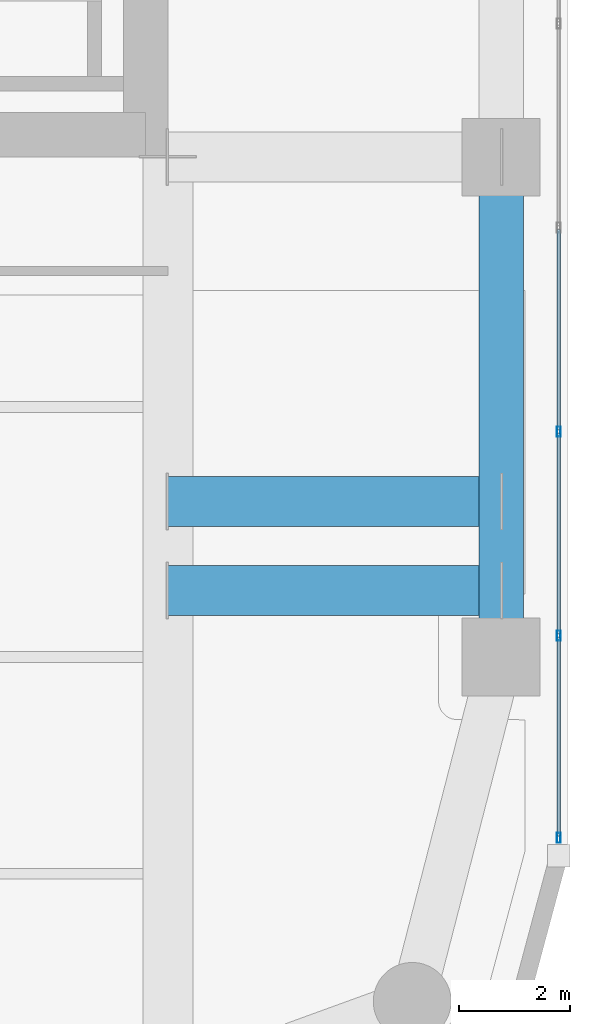
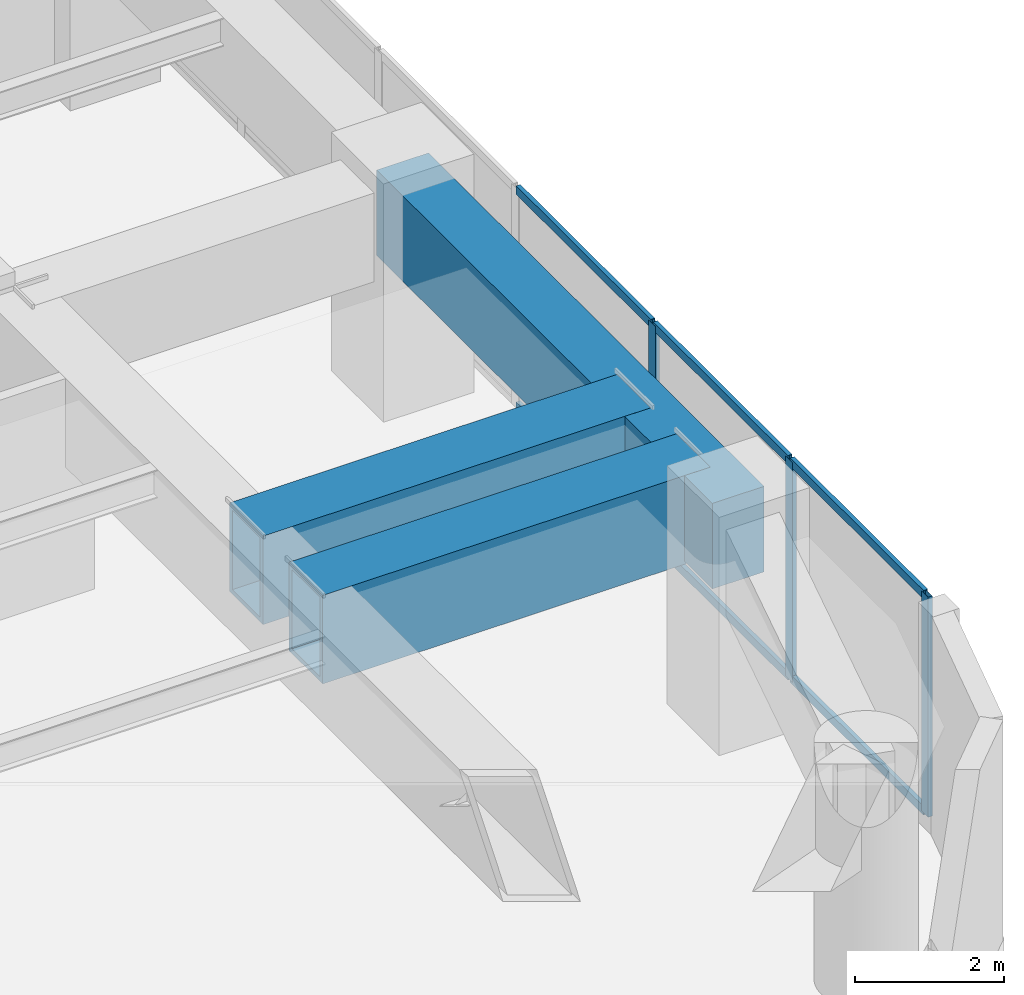
# One storey, part 4 of 25: 9 members, 3 beams, 1 element without a shape of its own.
"""IFC4 building model written with IfcOpenShell, lengths in metres."""

from ifc_helpers import new_model, si_unit, direction, frame, origin, origin_2d, place, context, subcontext, project, spatial, rectangle, hollow_rectangle, extrude, material, layer, layer_set, material_profile, profile_set, type_object, element, aggregate, save


model = new_model("IFC4")

# Units and contexts
model_context = context("Model", 3, precision=1e-05, world=origin(), true_north=direction((0.0, 1.0)))
body_context = subcontext(model_context, "Body", "Model", "MODEL_VIEW")
ifc_project = project(units=[si_unit("LENGTHUNIT", "METRE"), si_unit("AREAUNIT", "SQUARE_METRE"), si_unit("VOLUMEUNIT", "CUBIC_METRE"), si_unit("PLANEANGLEUNIT", "RADIAN"), si_unit("MASSUNIT", "GRAM", prefix="KILO")], contexts=[model_context])

# Site, building, storey
site_placement = place(None, origin())
site = spatial("IfcSite", under=ifc_project, at=site_placement, CompositionType="ELEMENT")
building_placement = place(site_placement, origin())
building = spatial("IfcBuilding", under=site, at=building_placement, Name="Kiyonajd Concourse Tower", CompositionType="ELEMENT")
storey_placement = place(building_placement, frame((0.0, 0.0, 141.60009765625)))
storey = spatial("IfcBuildingStorey", under=building, at=storey_placement, Name="L36", CompositionType="ELEMENT", Elevation=141.60009765625)

# Beams
ifc_material_1 = material(Name="Steel ASTM A572 Grade 50", Category="steel")
ifc_material_profile_1 = material_profile(ifc_material_1, hollow_rectangle(XDim=0.89990234375, YDim=1.449951171875, WallThickness=0.074951171875, at=origin_2d()), Name="BOX-1450x900x75")
ifc_profile_set_1 = profile_set([ifc_material_profile_1], Name="Steel ASTM A572 Grade 50")
beam_type_1 = type_object("IfcBeamType", Name="BM-XFER-1800", PredefinedType="BEAM", material=ifc_profile_set_1)
for number, where, z_axis, x_axis, name in (
    (1, (63.60009765625, 19.800048828125, 2.875), (1.0, 0.0, 0.0), (0.0, 1.0, 0.0), "L36 South Setback Transfer Girder 6"),
    (2, (63.60009765625, 21.39990234375, 2.875), (1.0, 0.0, 0.0), (0.0, 1.0, 0.0), "L36 Column Transfer Girder"),
):
    element("IfcBeam", number, at=place(storey_placement, frame(where, z_axis=z_axis, x_axis=x_axis)), inside=storey, type_object=beam_type_1, Name=name, PredefinedType="BEAM", context=body_context, shape_type="SweptSolid", body=[
        extrude(hollow_rectangle(XDim=0.89990234375, YDim=1.449951171875, WallThickness=0.074951171875, at=origin_2d()), origin(), (0.0, 0.0, 1.0), 6.0),
    ])
ifc_material_2 = material(Name="Concrete C60/75", Category="concrete")
ifc_material_profile_2 = material_profile(ifc_material_2, rectangle(XDim=0.800048828125, YDim=1.39990234375, at=origin_2d()), Name="RCBM-800x1400")
ifc_profile_set_2 = profile_set([ifc_material_profile_2], Name="Concrete C60/75")
beam_type_2 = type_object("IfcBeamType", Name="BM-XFER-RC", PredefinedType="BEAM", material=ifc_profile_set_2)
beam_placement = place(storey_placement, frame((69.60009765625, 18.60009765625, 2.89990234375), z_axis=(0.0, 1.0, 0.0), x_axis=(-1.0, 0.0, 0.0)))
element("IfcBeam", 3, at=beam_placement, inside=storey, type_object=beam_type_2, Name="L36 Perimeter Bundled Tube Spandrel", PredefinedType="BEAM", context=body_context, shape_type="SweptSolid", body=[
    extrude(rectangle(XDim=0.800048828125, YDim=1.39990234375, at=origin_2d()), origin(), (0.0, 0.0, 1.0), 9.0),
])

# Curtain wall, members
ifc_material_3 = material(Name="Thermally Broken Anodised Aluminium", Category="aluminium")
ifc_layer = layer(ifc_material_3, 0.179931640625)
ifc_layer_set = layer_set([ifc_layer], Name="Thermally Broken Anodised Aluminium")
curtain_wall_type = type_object("IfcCurtainWallType", Name="CW-SYS-03", PredefinedType="NOTDEFINED", material=ifc_layer_set)
curtain_wall_placement = place(storey_placement, origin())
curtain_wall = element("IfcCurtainWall", 4, at=curtain_wall_placement, inside=storey, type_object=curtain_wall_type, Name="L36 Unitised Curtain Wall CW3", PredefinedType="NOTDEFINED")
ifc_material_profile_3 = material_profile(ifc_material_3, hollow_rectangle(XDim=0.06494140625, YDim=0.179931640625, WallThickness=0.00390625, at=origin_2d()), Name="MULL-65x180")
ifc_profile_set_3 = profile_set([ifc_material_profile_3], Name="Thermally Broken Anodised Aluminium")
member_type_1 = type_object("IfcMemberType", Name="MB-CW-MULL1", PredefinedType="MULLION", material=ifc_profile_set_3)
member_1_placement = place(storey_placement, frame((70.639892578125, 22.657470703125, 0.0), z_axis=(0.0, 0.0, 1.0), x_axis=(1.0, 0.0, 0.0)))
member_1 = element("IfcMember", 5, at=member_1_placement, type_object=member_type_1, Name="CW3 mullion 5", PredefinedType="MULLION", context=body_context, shape_type="SweptSolid", body=[
    extrude(hollow_rectangle(XDim=0.06494140625, YDim=0.179931640625, WallThickness=0.00390625, at=origin_2d()), origin(), (0.0, 0.0, 1.0), 3.599853515625),
])
member_2_placement = place(storey_placement, frame((70.639892578125, 18.984130859375, 0.0), z_axis=(0.0, 0.0, 1.0), x_axis=(1.0, 0.0, 0.0)))
member_2 = element("IfcMember", 6, at=member_2_placement, type_object=member_type_1, Name="CW3 mullion 6", PredefinedType="MULLION", context=body_context, shape_type="SweptSolid", body=[
    extrude(hollow_rectangle(XDim=0.06494140625, YDim=0.179931640625, WallThickness=0.00390625, at=origin_2d()), origin(), (0.0, 0.0, 1.0), 3.599853515625),
])
member_3_placement = place(storey_placement, frame((70.639892578125, 15.343505859375, 0.0), z_axis=(0.0, 0.0, 1.0), x_axis=(1.0, 0.0, 0.0)))
member_3 = element("IfcMember", 7, at=member_3_placement, type_object=member_type_1, Name="CW3 mullion 7", PredefinedType="MULLION", context=body_context, shape_type="SweptSolid", body=[
    extrude(hollow_rectangle(XDim=0.06494140625, YDim=0.179931640625, WallThickness=0.00390625, at=origin_2d()), origin(), (0.0, 0.0, 1.0), 3.599853515625),
])
ifc_material_profile_4 = material_profile(ifc_material_3, hollow_rectangle(XDim=0.06494140625, YDim=0.139892578125, WallThickness=0.00390625, at=origin_2d()), Name="TRAN-65x140")
ifc_profile_set_4 = profile_set([ifc_material_profile_4], Name="Thermally Broken Anodised Aluminium")
member_type_2 = type_object("IfcMemberType", Name="MB-CW-TRAN1", PredefinedType="USERDEFINED", material=ifc_profile_set_4)
member_4_placement = place(storey_placement, frame((70.639892578125, 26.298095703125, 0.032470703125), z_axis=(0.0, -1.0, 0.0), x_axis=(1.0, 0.0, 0.0)))
member_4 = element("IfcMember", 8, at=member_4_placement, type_object=member_type_2, Name="CW3 transom 4.1", ObjectType="TRANSOM", PredefinedType="USERDEFINED", context=body_context, shape_type="SweptSolid", body=[
    extrude(hollow_rectangle(XDim=0.06494140625, YDim=0.139892578125, WallThickness=0.00390625, at=origin_2d()), origin(), (0.0, 0.0, 1.0), 3.608154296875),
])
member_5_placement = place(storey_placement, frame((70.639892578125, 26.298095703125, 3.5673828125), z_axis=(0.0, -1.0, 0.0), x_axis=(1.0, 0.0, 0.0)))
member_5 = element("IfcMember", 9, at=member_5_placement, type_object=member_type_2, Name="CW3 transom 4.2", ObjectType="TRANSOM", PredefinedType="USERDEFINED", context=body_context, shape_type="SweptSolid", body=[
    extrude(hollow_rectangle(XDim=0.06494140625, YDim=0.139892578125, WallThickness=0.00390625, at=origin_2d()), origin(), (0.0, 0.0, 1.0), 3.608154296875),
])
member_6_placement = place(storey_placement, frame((70.639892578125, 22.625, 0.032470703125), z_axis=(0.0, -1.0, 0.0), x_axis=(1.0, 0.0, 0.0)))
member_6 = element("IfcMember", 10, at=member_6_placement, type_object=member_type_2, Name="CW3 transom 5.1", ObjectType="TRANSOM", PredefinedType="USERDEFINED", context=body_context, shape_type="SweptSolid", body=[
    extrude(hollow_rectangle(XDim=0.06494140625, YDim=0.139892578125, WallThickness=0.00390625, at=origin_2d()), origin(), (0.0, 0.0, 1.0), 3.608154296875),
])
member_7_placement = place(storey_placement, frame((70.639892578125, 22.625, 3.5673828125), z_axis=(0.0, -1.0, 0.0), x_axis=(1.0, 0.0, 0.0)))
member_7 = element("IfcMember", 11, at=member_7_placement, type_object=member_type_2, Name="CW3 transom 5.2", ObjectType="TRANSOM", PredefinedType="USERDEFINED", context=body_context, shape_type="SweptSolid", body=[
    extrude(hollow_rectangle(XDim=0.06494140625, YDim=0.139892578125, WallThickness=0.00390625, at=origin_2d()), origin(), (0.0, 0.0, 1.0), 3.608154296875),
])
member_8_placement = place(storey_placement, frame((70.639892578125, 18.95166015625, 0.032470703125), z_axis=(0.0, -1.0, 0.0), x_axis=(1.0, 0.0, 0.0)))
member_8 = element("IfcMember", 12, at=member_8_placement, type_object=member_type_2, Name="CW3 transom 6.1", ObjectType="TRANSOM", PredefinedType="USERDEFINED", context=body_context, shape_type="SweptSolid", body=[
    extrude(hollow_rectangle(XDim=0.06494140625, YDim=0.139892578125, WallThickness=0.00390625, at=origin_2d()), origin(), (0.0, 0.0, 1.0), 3.575439453125),
])
member_9_placement = place(storey_placement, frame((70.639892578125, 18.95166015625, 3.5673828125), z_axis=(0.0, -1.0, 0.0), x_axis=(1.0, 0.0, 0.0)))
member_9 = element("IfcMember", 13, at=member_9_placement, type_object=member_type_2, Name="CW3 transom 6.2", ObjectType="TRANSOM", PredefinedType="USERDEFINED", context=body_context, shape_type="SweptSolid", body=[
    extrude(hollow_rectangle(XDim=0.06494140625, YDim=0.139892578125, WallThickness=0.00390625, at=origin_2d()), origin(), (0.0, 0.0, 1.0), 3.575439453125),
])
aggregate(curtain_wall, [member_1, member_2, member_3, member_4, member_5, member_6, member_7, member_8, member_9])

save(model, "model.ifc")
